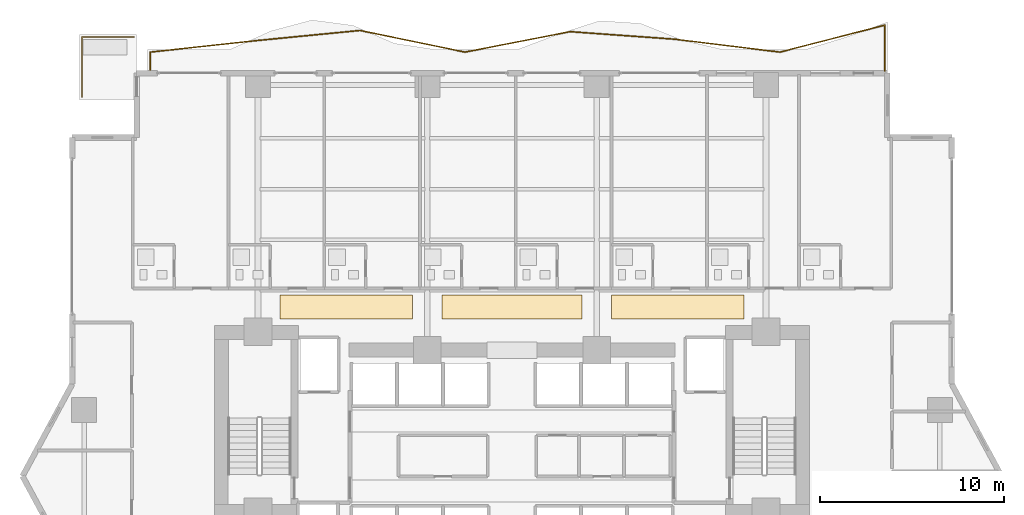
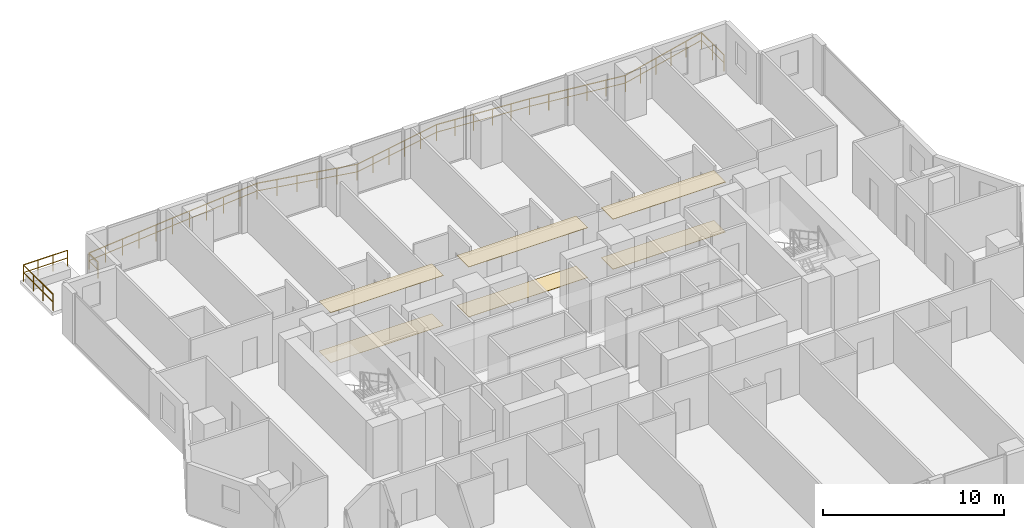
# One storey, part 28 of 29: 6 coverings, 2 railings.
"""IFC4 building model written with IfcOpenShell, lengths in metres."""

from ifc_helpers import new_model, si_unit, direction, frame, origin, origin_2d, place, context, subcontext, project, spatial, polyline, rectangle, outline, extrude, material, layer, layer_set, type_object, element, save


model = new_model("IFC4")

# Units and contexts
model_context = context("Model", 3, precision=1e-05, world=origin(), true_north=direction((0.0, 1.0)))
body_context = subcontext(model_context, "Body", "Model", "MODEL_VIEW")
ifc_project = project(units=[si_unit("LENGTHUNIT", "METRE"), si_unit("AREAUNIT", "SQUARE_METRE"), si_unit("VOLUMEUNIT", "CUBIC_METRE"), si_unit("PLANEANGLEUNIT", "RADIAN"), si_unit("MASSUNIT", "GRAM", prefix="KILO")], contexts=[model_context])

# Site, building, storey
site_placement = place(None, origin())
site = spatial("IfcSite", under=ifc_project, at=site_placement, CompositionType="ELEMENT")
building_placement = place(site_placement, origin())
building = spatial("IfcBuilding", under=site, at=building_placement, Name="Zuhayl Quay Hotel", CompositionType="ELEMENT")
storey_placement = place(building_placement, frame((0.0, 0.0, 158.550048828125)))
storey = spatial("IfcBuildingStorey", under=building, at=storey_placement, Name="L40", CompositionType="ELEMENT", Elevation=158.550048828125)

# Coverings
ifc_material_1 = material(Name="Acoustic Mineral-Fibre Gypsum Board")
ifc_layer_1 = layer(ifc_material_1, 0.02490234375, Name="Acoustic Mineral-Fibre Gypsum Board")
ifc_layer_set_1 = layer_set([ifc_layer_1], Name="Acoustic Mineral-Fibre Gypsum Board")
covering_type_1 = type_object("IfcCoveringType", Name="CV_CEIL_ACOUSTIC", PredefinedType="CEILING", material=ifc_layer_set_1)
covering_1_placement = place(storey_placement, frame((0.0, 0.0, 3.364990234375)))
element("IfcCovering", 1, at=covering_1_placement, inside=storey, type_object=covering_type_1, Name="L40 Guest Corridor Acoustic Ceiling CW", PredefinedType="CEILING", context=body_context, shape_type="SweptSolid", body=[
    extrude(outline(polyline([(-12.60009765625, 15.050048828125), (-5.39990234375, 15.050048828125), (-5.39990234375, 16.35009765625), (-12.60009765625, 16.35009765625), (-12.60009765625, 15.050048828125)])), origin(), (0.0, 0.0, 1.0), 0.02490234375),
])
covering_2_placement = place(storey_placement, frame((0.0, 0.0, 3.364990234375)))
element("IfcCovering", 2, at=covering_2_placement, inside=storey, type_object=covering_type_1, Name="L40 Guest Corridor Acoustic Ceiling CC", PredefinedType="CEILING", context=body_context, shape_type="SweptSolid", body=[
    extrude(outline(polyline([(-3.800048828125, 15.050048828125), (3.800048828125, 15.050048828125), (3.800048828125, 16.35009765625), (-3.800048828125, 16.35009765625), (-3.800048828125, 15.050048828125)])), origin(), (0.0, 0.0, 1.0), 0.02490234375),
])
covering_3_placement = place(storey_placement, frame((0.0, 0.0, 3.364990234375)))
element("IfcCovering", 3, at=covering_3_placement, inside=storey, type_object=covering_type_1, Name="L40 Guest Corridor Acoustic Ceiling CE", PredefinedType="CEILING", context=body_context, shape_type="SweptSolid", body=[
    extrude(outline(polyline([(5.39990234375, 15.050048828125), (12.60009765625, 15.050048828125), (12.60009765625, 16.35009765625), (5.39990234375, 16.35009765625), (5.39990234375, 15.050048828125)])), origin(), (0.0, 0.0, 1.0), 0.02490234375),
])
ifc_material_2 = material(Name="Polished Limestone Terrazzo", Category="masonry")
ifc_layer_2 = layer(ifc_material_2, 0.02001953125, Name="Polished Limestone Terrazzo", Category="masonry")
ifc_layer_set_2 = layer_set([ifc_layer_2], Name="Polished Limestone Terrazzo")
covering_type_2 = type_object("IfcCoveringType", Name="CV_FLOOR_TERRAZZO", PredefinedType="FLOORING", material=ifc_layer_set_2)
covering_4_placement = place(storey_placement, origin())
element("IfcCovering", 4, at=covering_4_placement, inside=storey, type_object=covering_type_2, Name="L40 Guest Corridor Terrazzo Runner CW", PredefinedType="FLOORING", context=body_context, shape_type="SweptSolid", body=[
    extrude(outline(polyline([(-12.60009765625, 15.050048828125), (-5.39990234375, 15.050048828125), (-5.39990234375, 16.35009765625), (-12.60009765625, 16.35009765625), (-12.60009765625, 15.050048828125)])), origin(), (0.0, 0.0, 1.0), 0.02001953125),
])
covering_5_placement = place(storey_placement, origin())
element("IfcCovering", 5, at=covering_5_placement, inside=storey, type_object=covering_type_2, Name="L40 Guest Corridor Terrazzo Runner CC", PredefinedType="FLOORING", context=body_context, shape_type="SweptSolid", body=[
    extrude(outline(polyline([(-3.800048828125, 15.050048828125), (3.800048828125, 15.050048828125), (3.800048828125, 16.35009765625), (-3.800048828125, 16.35009765625), (-3.800048828125, 15.050048828125)])), origin(), (0.0, 0.0, 1.0), 0.02001953125),
])
covering_6_placement = place(storey_placement, origin())
element("IfcCovering", 6, at=covering_6_placement, inside=storey, type_object=covering_type_2, Name="L40 Guest Corridor Terrazzo Runner CE", PredefinedType="FLOORING", context=body_context, shape_type="SweptSolid", body=[
    extrude(outline(polyline([(5.39990234375, 15.050048828125), (12.60009765625, 15.050048828125), (12.60009765625, 16.35009765625), (5.39990234375, 16.35009765625), (5.39990234375, 15.050048828125)])), origin(), (0.0, 0.0, 1.0), 0.02001953125),
])

# Railings
ifc_material_3 = material(Name="Anodised Aluminium and Laminated Glass", Category="aluminium")
railing_type = type_object("IfcRailingType", Name="RL_EXT_BAL_1100", PredefinedType="BALUSTRADE", material=ifc_material_3)
railing_1_placement = place(storey_placement, frame((-19.659912109375, 28.52001953125, 0.0)))
element("IfcRailing", 7, at=railing_1_placement, inside=storey, type_object=railing_type, Name="L40 Balcony and Terrace Guard GR_L40_BAL_N", PredefinedType="BALUSTRADE", context=body_context, shape_type="SweptSolid", body=[
    extrude(rectangle(XDim=0.048095703125, YDim=0.048095703125, at=origin_2d()), frame((0.0, 0.0, 1.09619140625), z_axis=(0.0, 1.0, 0.0), x_axis=(-1.0, 0.0, 0.0)), (0.0, 0.0, 1.0), 1.02001953125),
    extrude(rectangle(XDim=0.0361328125, YDim=0.0361328125, at=origin_2d()), frame((0.0, 0.0, 0.58251953125), z_axis=(0.0, 1.0, 0.0), x_axis=(-1.0, 0.0, 0.0)), (0.0, 0.0, 1.0), 1.02001953125),
    extrude(rectangle(XDim=0.048095703125, YDim=0.048095703125, at=origin_2d()), frame((0.0, 1.02001953125, 1.09619140625), z_axis=(0.994171962967, 0.107805881339, 0.0), x_axis=(-0.107805881339, 0.994171962967, 0.0)), (0.0, 0.0, 1.0), 5.736328125),
    extrude(rectangle(XDim=0.0361328125, YDim=0.0361328125, at=origin_2d()), frame((0.0, 1.02001953125, 0.58251953125), z_axis=(0.994171962967, 0.107805881339, 0.0), x_axis=(-0.107805881339, 0.994171962967, 0.0)), (0.0, 0.0, 1.0), 5.736328125),
    extrude(rectangle(XDim=0.048095703125, YDim=0.048095703125, at=origin_2d()), frame((5.702880859375, 1.638427734375, 1.09619140625), z_axis=(0.995232661691, 0.097529221792, 0.0), x_axis=(-0.097529221792, 0.995232661691, 0.0)), (0.0, 0.0, 1.0), 5.72998046875),
    extrude(rectangle(XDim=0.0361328125, YDim=0.0361328125, at=origin_2d()), frame((5.702880859375, 1.638427734375, 0.58251953125), z_axis=(0.995232661691, 0.097529221792, 0.0), x_axis=(-0.097529221792, 0.995232661691, 0.0)), (0.0, 0.0, 1.0), 5.72998046875),
    extrude(rectangle(XDim=0.048095703125, YDim=0.048095703125, at=origin_2d()), frame((11.405517578125, 2.197265625, 1.09619140625), z_axis=(0.979350962126, -0.202167487451, 0.0), x_axis=(0.202167487451, 0.979350962126, 0.0)), (0.0, 0.0, 1.0), 5.8232421875),
    extrude(rectangle(XDim=0.0361328125, YDim=0.0361328125, at=origin_2d()), frame((11.405517578125, 2.197265625, 0.58251953125), z_axis=(0.979350962126, -0.202167487451, 0.0), x_axis=(0.202167487451, 0.979350962126, 0.0)), (0.0, 0.0, 1.0), 5.8232421875),
    extrude(rectangle(XDim=0.048095703125, YDim=0.048095703125, at=origin_2d()), frame((17.1083984375, 1.02001953125, 1.09619140625), z_axis=(0.981521016291, 0.191354369116, 0.0), x_axis=(-0.191354369116, 0.981521016291, 0.0)), (0.0, 0.0, 1.0), 5.810302734375),
    extrude(rectangle(XDim=0.0361328125, YDim=0.0361328125, at=origin_2d()), frame((17.1083984375, 1.02001953125, 0.58251953125), z_axis=(0.981521016291, 0.191354369116, 0.0), x_axis=(-0.191354369116, 0.981521016291, 0.0)), (0.0, 0.0, 1.0), 5.810302734375),
    extrude(rectangle(XDim=0.048095703125, YDim=0.048095703125, at=origin_2d()), frame((22.811279296875, 2.1318359375, 1.09619140625), z_axis=(0.997396114106, -0.072117900455, 0.0), x_axis=(0.072117900455, 0.997396114106, 0.0)), (0.0, 0.0, 1.0), 5.7177734375),
    extrude(rectangle(XDim=0.0361328125, YDim=0.0361328125, at=origin_2d()), frame((22.811279296875, 2.1318359375, 0.58251953125), z_axis=(0.997396114106, -0.072117900455, 0.0), x_axis=(0.072117900455, 0.997396114106, 0.0)), (0.0, 0.0, 1.0), 5.7177734375),
    extrude(rectangle(XDim=0.048095703125, YDim=0.048095703125, at=origin_2d()), frame((28.51416015625, 1.719482421875, 1.09619140625), z_axis=(0.992562202718, -0.121738546632, 0.0), x_axis=(0.121738546632, 0.992562202718, 0.0)), (0.0, 0.0, 1.0), 5.74560546875),
    extrude(rectangle(XDim=0.0361328125, YDim=0.0361328125, at=origin_2d()), frame((28.51416015625, 1.719482421875, 0.58251953125), z_axis=(0.992562202718, -0.121738546632, 0.0), x_axis=(0.121738546632, 0.992562202718, 0.0)), (0.0, 0.0, 1.0), 5.74560546875),
    extrude(rectangle(XDim=0.048095703125, YDim=0.048095703125, at=origin_2d()), frame((34.217041015625, 1.02001953125, 1.09619140625), z_axis=(0.968468928165, 0.249134371734, 0.0), x_axis=(-0.249134371734, 0.968468928165, 0.0)), (0.0, 0.0, 1.0), 5.888671875),
    extrude(rectangle(XDim=0.0361328125, YDim=0.0361328125, at=origin_2d()), frame((34.217041015625, 1.02001953125, 0.58251953125), z_axis=(0.968468928165, 0.249134371734, 0.0), x_axis=(-0.249134371734, 0.968468928165, 0.0)), (0.0, 0.0, 1.0), 5.888671875),
    extrude(rectangle(XDim=0.048095703125, YDim=0.048095703125, at=origin_2d()), frame((39.919921875, 2.487060546875, 1.09619140625), z_axis=(0.0, -1.0, 0.0), x_axis=(1.0, 0.0, 0.0)), (0.0, 0.0, 1.0), 2.487060546875),
    extrude(rectangle(XDim=0.0361328125, YDim=0.0361328125, at=origin_2d()), frame((39.919921875, 2.487060546875, 0.58251953125), z_axis=(0.0, -1.0, 0.0), x_axis=(1.0, 0.0, 0.0)), (0.0, 0.0, 1.0), 2.487060546875),
    extrude(rectangle(XDim=0.0419921875, YDim=0.0419921875, at=origin_2d()), origin(), (0.0, 0.0, 1.0), 1.072021484375),
    extrude(rectangle(XDim=0.0419921875, YDim=0.0419921875, at=origin_2d()), frame((0.0, 1.02001953125, 0.0)), (0.0, 0.0, 1.0), 1.072021484375),
    extrude(rectangle(XDim=0.0419921875, YDim=0.0419921875, at=origin_2d()), frame((1.140625, 1.143798828125, 0.0)), (0.0, 0.0, 1.0), 1.072021484375),
    extrude(rectangle(XDim=0.0419921875, YDim=0.0419921875, at=origin_2d()), frame((2.28125, 1.267333984375, 0.0)), (0.0, 0.0, 1.0), 1.072021484375),
    extrude(rectangle(XDim=0.0419921875, YDim=0.0419921875, at=origin_2d()), frame((3.421630859375, 1.39111328125, 0.0)), (0.0, 0.0, 1.0), 1.072021484375),
    extrude(rectangle(XDim=0.0419921875, YDim=0.0419921875, at=origin_2d()), frame((4.562255859375, 1.5146484375, 0.0)), (0.0, 0.0, 1.0), 1.072021484375),
    extrude(rectangle(XDim=0.0419921875, YDim=0.0419921875, at=origin_2d()), frame((5.702880859375, 1.638427734375, 0.0)), (0.0, 0.0, 1.0), 1.072021484375),
    extrude(rectangle(XDim=0.0419921875, YDim=0.0419921875, at=origin_2d()), frame((6.843505859375, 1.750244140625, 0.0)), (0.0, 0.0, 1.0), 1.072021484375),
    extrude(rectangle(XDim=0.0419921875, YDim=0.0419921875, at=origin_2d()), frame((7.98388671875, 1.862060546875, 0.0)), (0.0, 0.0, 1.0), 1.072021484375),
    extrude(rectangle(XDim=0.0419921875, YDim=0.0419921875, at=origin_2d()), frame((9.12451171875, 1.9736328125, 0.0)), (0.0, 0.0, 1.0), 1.072021484375),
    extrude(rectangle(XDim=0.0419921875, YDim=0.0419921875, at=origin_2d()), frame((10.264892578125, 2.08544921875, 0.0)), (0.0, 0.0, 1.0), 1.072021484375),
    extrude(rectangle(XDim=0.0419921875, YDim=0.0419921875, at=origin_2d()), frame((11.405517578125, 2.197265625, 0.0)), (0.0, 0.0, 1.0), 1.072021484375),
    extrude(rectangle(XDim=0.0419921875, YDim=0.0419921875, at=origin_2d()), frame((12.546142578125, 1.9619140625, 0.0)), (0.0, 0.0, 1.0), 1.072021484375),
    extrude(rectangle(XDim=0.0419921875, YDim=0.0419921875, at=origin_2d()), frame((13.686767578125, 1.726318359375, 0.0)), (0.0, 0.0, 1.0), 1.072021484375),
    extrude(rectangle(XDim=0.0419921875, YDim=0.0419921875, at=origin_2d()), frame((14.8271484375, 1.490966796875, 0.0)), (0.0, 0.0, 1.0), 1.072021484375),
    extrude(rectangle(XDim=0.0419921875, YDim=0.0419921875, at=origin_2d()), frame((15.9677734375, 1.25537109375, 0.0)), (0.0, 0.0, 1.0), 1.072021484375),
    extrude(rectangle(XDim=0.0419921875, YDim=0.0419921875, at=origin_2d()), frame((17.1083984375, 1.02001953125, 0.0)), (0.0, 0.0, 1.0), 1.072021484375),
    extrude(rectangle(XDim=0.0419921875, YDim=0.0419921875, at=origin_2d()), frame((18.2490234375, 1.242431640625, 0.0)), (0.0, 0.0, 1.0), 1.072021484375),
    extrude(rectangle(XDim=0.0419921875, YDim=0.0419921875, at=origin_2d()), frame((19.3896484375, 1.46484375, 0.0)), (0.0, 0.0, 1.0), 1.072021484375),
    extrude(rectangle(XDim=0.0419921875, YDim=0.0419921875, at=origin_2d()), frame((20.530029296875, 1.68701171875, 0.0)), (0.0, 0.0, 1.0), 1.072021484375),
    extrude(rectangle(XDim=0.0419921875, YDim=0.0419921875, at=origin_2d()), frame((21.670654296875, 1.909423828125, 0.0)), (0.0, 0.0, 1.0), 1.072021484375),
    extrude(rectangle(XDim=0.0419921875, YDim=0.0419921875, at=origin_2d()), frame((22.811279296875, 2.1318359375, 0.0)), (0.0, 0.0, 1.0), 1.072021484375),
    extrude(rectangle(XDim=0.0419921875, YDim=0.0419921875, at=origin_2d()), frame((23.951904296875, 2.04931640625, 0.0)), (0.0, 0.0, 1.0), 1.072021484375),
    extrude(rectangle(XDim=0.0419921875, YDim=0.0419921875, at=origin_2d()), frame((25.092529296875, 1.966796875, 0.0)), (0.0, 0.0, 1.0), 1.072021484375),
    extrude(rectangle(XDim=0.0419921875, YDim=0.0419921875, at=origin_2d()), frame((26.23291015625, 1.884521484375, 0.0)), (0.0, 0.0, 1.0), 1.072021484375),
    extrude(rectangle(XDim=0.0419921875, YDim=0.0419921875, at=origin_2d()), frame((27.37353515625, 1.802001953125, 0.0)), (0.0, 0.0, 1.0), 1.072021484375),
    extrude(rectangle(XDim=0.0419921875, YDim=0.0419921875, at=origin_2d()), frame((28.51416015625, 1.719482421875, 0.0)), (0.0, 0.0, 1.0), 1.072021484375),
    extrude(rectangle(XDim=0.0419921875, YDim=0.0419921875, at=origin_2d()), frame((29.65478515625, 1.57958984375, 0.0)), (0.0, 0.0, 1.0), 1.072021484375),
    extrude(rectangle(XDim=0.0419921875, YDim=0.0419921875, at=origin_2d()), frame((30.79541015625, 1.439697265625, 0.0)), (0.0, 0.0, 1.0), 1.072021484375),
    extrude(rectangle(XDim=0.0419921875, YDim=0.0419921875, at=origin_2d()), frame((31.935791015625, 1.2998046875, 0.0)), (0.0, 0.0, 1.0), 1.072021484375),
    extrude(rectangle(XDim=0.0419921875, YDim=0.0419921875, at=origin_2d()), frame((33.076416015625, 1.159912109375, 0.0)), (0.0, 0.0, 1.0), 1.072021484375),
    extrude(rectangle(XDim=0.0419921875, YDim=0.0419921875, at=origin_2d()), frame((34.217041015625, 1.02001953125, 0.0)), (0.0, 0.0, 1.0), 1.072021484375),
    extrude(rectangle(XDim=0.0419921875, YDim=0.0419921875, at=origin_2d()), frame((35.357666015625, 1.3134765625, 0.0)), (0.0, 0.0, 1.0), 1.072021484375),
    extrude(rectangle(XDim=0.0419921875, YDim=0.0419921875, at=origin_2d()), frame((36.498291015625, 1.60693359375, 0.0)), (0.0, 0.0, 1.0), 1.072021484375),
    extrude(rectangle(XDim=0.0419921875, YDim=0.0419921875, at=origin_2d()), frame((37.638671875, 1.900146484375, 0.0)), (0.0, 0.0, 1.0), 1.072021484375),
    extrude(rectangle(XDim=0.0419921875, YDim=0.0419921875, at=origin_2d()), frame((38.779296875, 2.193603515625, 0.0)), (0.0, 0.0, 1.0), 1.072021484375),
    extrude(rectangle(XDim=0.0419921875, YDim=0.0419921875, at=origin_2d()), frame((39.919921875, 2.487060546875, 0.0)), (0.0, 0.0, 1.0), 1.072021484375),
    extrude(rectangle(XDim=0.0419921875, YDim=0.0419921875, at=origin_2d()), frame((39.919921875, 1.24365234375, 0.0)), (0.0, 0.0, 1.0), 1.072021484375),
    extrude(rectangle(XDim=0.0419921875, YDim=0.0419921875, at=origin_2d()), frame((39.919921875, 0.0, 0.0)), (0.0, 0.0, 1.0), 1.072021484375),
])
railing_2_placement = place(storey_placement, frame((-20.5400390625, 30.360107421875, 0.0)))
element("IfcRailing", 8, at=railing_2_placement, inside=storey, type_object=railing_type, Name="L40 Balcony and Terrace Guard GR_L40_SPIRAL_NW", PredefinedType="BALUSTRADE", context=body_context, shape_type="SweptSolid", body=[
    extrude(rectangle(XDim=0.048095703125, YDim=0.048095703125, at=origin_2d()), frame((0.0, 0.0, 1.09619140625), z_axis=(-1.0, 0.0, 0.0), x_axis=(0.0, -1.0, 0.0)), (0.0, 0.0, 1.0), 2.820068359375),
    extrude(rectangle(XDim=0.0361328125, YDim=0.0361328125, at=origin_2d()), frame((0.0, 0.0, 0.58251953125), z_axis=(-1.0, 0.0, 0.0), x_axis=(0.0, -1.0, 0.0)), (0.0, 0.0, 1.0), 2.820068359375),
    extrude(rectangle(XDim=0.048095703125, YDim=0.048095703125, at=origin_2d()), frame((-2.820068359375, 0.0, 1.09619140625), z_axis=(0.0, -1.0, 0.0), x_axis=(1.0, 0.0, 0.0)), (0.0, 0.0, 1.0), 3.27001953125),
    extrude(rectangle(XDim=0.0361328125, YDim=0.0361328125, at=origin_2d()), frame((-2.820068359375, 0.0, 0.58251953125), z_axis=(0.0, -1.0, 0.0), x_axis=(1.0, 0.0, 0.0)), (0.0, 0.0, 1.0), 3.27001953125),
    extrude(rectangle(XDim=0.0419921875, YDim=0.0419921875, at=origin_2d()), origin(), (0.0, 0.0, 1.0), 1.072021484375),
    extrude(rectangle(XDim=0.0419921875, YDim=0.0419921875, at=origin_2d()), frame((-0.93994140625, 0.0, 0.0)), (0.0, 0.0, 1.0), 1.072021484375),
    extrude(rectangle(XDim=0.0419921875, YDim=0.0419921875, at=origin_2d()), frame((-1.880126953125, 0.0, 0.0)), (0.0, 0.0, 1.0), 1.072021484375),
    extrude(rectangle(XDim=0.0419921875, YDim=0.0419921875, at=origin_2d()), frame((-2.820068359375, 0.0, 0.0)), (0.0, 0.0, 1.0), 1.072021484375),
    extrude(rectangle(XDim=0.0419921875, YDim=0.0419921875, at=origin_2d()), frame((-2.820068359375, -1.090087890625, 0.0)), (0.0, 0.0, 1.0), 1.072021484375),
    extrude(rectangle(XDim=0.0419921875, YDim=0.0419921875, at=origin_2d()), frame((-2.820068359375, -2.179931640625, 0.0)), (0.0, 0.0, 1.0), 1.072021484375),
    extrude(rectangle(XDim=0.0419921875, YDim=0.0419921875, at=origin_2d()), frame((-2.820068359375, -3.27001953125, 0.0)), (0.0, 0.0, 1.0), 1.072021484375),
])

save(model, "model.ifc")
